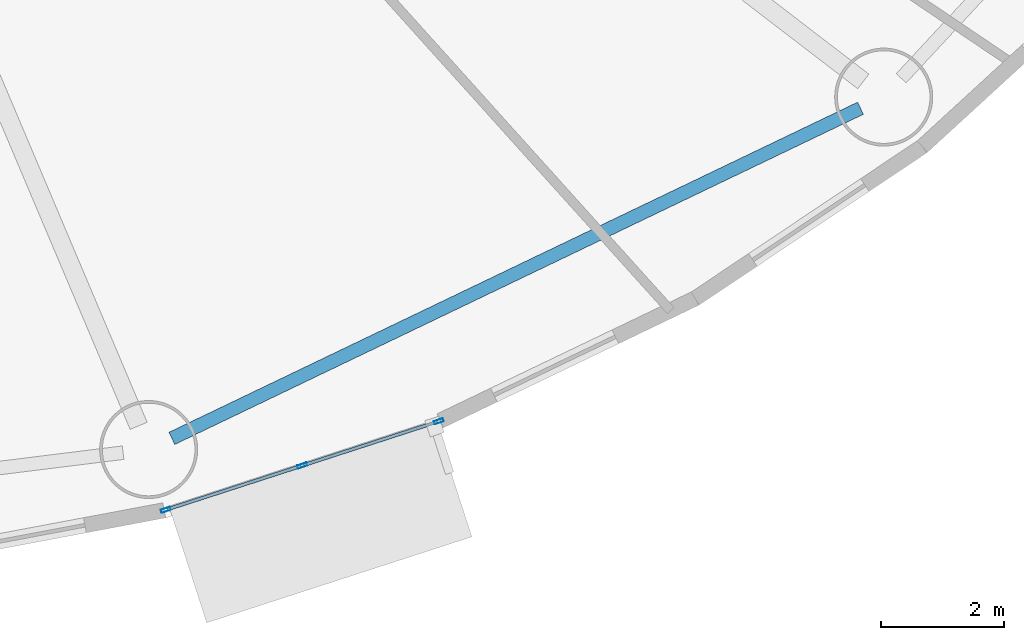
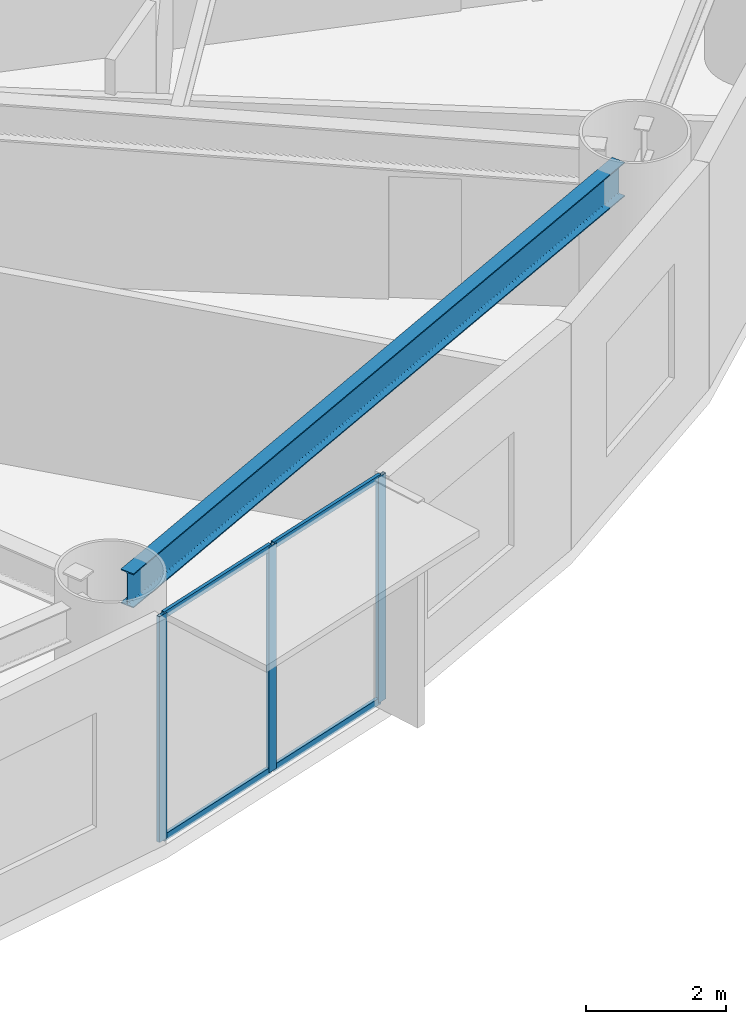
# One storey, part 7 of 32: 7 members, 1 beam, 1 element without a shape of its own.
"""IFC4 building model written with IfcOpenShell, lengths in metres."""

from ifc_helpers import new_model, si_unit, direction, frame, origin, origin_2d, place, context, subcontext, project, spatial, hollow_rectangle, i_section, extrude, source, transform, mapped, material, layer, layer_set, material_profile, profile_set, type_object, element, aggregate, save


model = new_model("IFC4")

# Units and contexts
model_context = context("Model", 3, precision=1e-05, world=origin(), true_north=direction((0.0, 1.0)))
body_context = subcontext(model_context, "Body", "Model", "MODEL_VIEW")
ifc_project = project(units=[si_unit("LENGTHUNIT", "METRE"), si_unit("AREAUNIT", "SQUARE_METRE"), si_unit("VOLUMEUNIT", "CUBIC_METRE"), si_unit("PLANEANGLEUNIT", "RADIAN"), si_unit("MASSUNIT", "GRAM", prefix="KILO")], contexts=[model_context])

# Site, building, storey
site_placement = place(None, origin())
site = spatial("IfcSite", under=ifc_project, at=site_placement, CompositionType="ELEMENT")
building_placement = place(site_placement, origin())
building = spatial("IfcBuilding", under=site, at=building_placement, Name="Linh Dai School and Residence Tower", CompositionType="ELEMENT")
storey_placement = place(building_placement, frame((0.0, 0.0, 40.800048828125)))
storey = spatial("IfcBuildingStorey", under=building, at=storey_placement, Name="L09", CompositionType="ELEMENT", Elevation=40.800048828125)

# Beam
ifc_material_1 = material(Name="Structural Steel S355JR", Category="steel")
ifc_material_profile_1 = material_profile(ifc_material_1, i_section(OverallWidth=0.219970703125, OverallDepth=0.60009765625, WebThickness=0.011962890625, FlangeThickness=0.01904296875, FilletRadius=0.02392578125, at=origin_2d()), Name="IPE 600")
ifc_profile_set_1 = profile_set([ifc_material_profile_1], Name="Structural Steel S355JR")
beam_type = type_object("IfcBeamType", Name="BM-RB60", PredefinedType="BEAM", material=ifc_profile_set_1)
beam_placement = place(storey_placement, frame((45.736572265625, 5.061767578125, 3.64990234375), z_axis=(0.901728693485, 0.432302398034, 0.0), x_axis=(-0.432302398034, 0.901728693485, 0.0)))
element("IfcBeam", 1, at=beam_placement, inside=storey, type_object=beam_type, Name="L09 Perimeter Elliptical Ring Beam 14", PredefinedType="BEAM", context=body_context, shape_type="SweptSolid", body=[
    extrude(i_section(OverallWidth=0.219970703125, OverallDepth=0.60009765625, WebThickness=0.011962890625, FlangeThickness=0.01904296875, FilletRadius=0.02392578125, at=origin_2d()), origin(), (0.0, 0.0, 1.0), 12.462158203125),
])

# Curtain wall, members
ifc_material_2 = material(Name="Aluminium Anodised Curtain Wall", Category="aluminium")
ifc_layer = layer(ifc_material_2, 0.159912109375)
ifc_layer_set = layer_set([ifc_layer], Name="Aluminium Anodised Curtain Wall")
curtain_wall_type = type_object("IfcCurtainWallType", Name="CW-SYS-3", PredefinedType="USERDEFINED", material=ifc_layer_set)
curtain_wall_placement = place(storey_placement, origin())
curtain_wall = element("IfcCurtainWall", 2, at=curtain_wall_placement, inside=storey, type_object=curtain_wall_type, Name="L09 CW3 Curtain Wall 33", ObjectType="RIBBON CURTAIN WALL", PredefinedType="USERDEFINED")
ifc_material_3 = material(Name="Aluminium Alloy 6063-T6", Category="aluminium")
ifc_material_profile_2 = material_profile(ifc_material_3, hollow_rectangle(XDim=0.054931640625, YDim=0.1201171875, WallThickness=0.00390625, at=origin_2d()), Name="RHS 120x55x4")
ifc_profile_set_2 = profile_set([ifc_material_profile_2], Name="Aluminium Alloy 6063-T6")
member_type_1 = type_object("IfcMemberType", Name="CW-SYS-3-TRN", PredefinedType="USERDEFINED", material=ifc_profile_set_2)
shared_shape_1 = source(origin(), body_context, "Body", "SweptSolid", [
    extrude(hollow_rectangle(XDim=0.054931640625, YDim=0.1201171875, WallThickness=0.00390625, at=origin_2d()), origin(), (0.0, 0.0, 1.0), 2.286865234375),
])
member_1_placement = place(storey_placement, frame((50.06591796875, 5.331787109375, 0.02734375), z_axis=(-0.951214351328, -0.308530805313, 0.0), x_axis=(0.308530805313, -0.951214351328, 0.0)))
member_1 = element("IfcMember", 3, at=member_1_placement, type_object=member_type_1, Name="CW3 transom 1.1", ObjectType="TRANSOM", PredefinedType="USERDEFINED", context=body_context, shape_type="MappedRepresentation", body=[
    mapped(shared_shape_1, transform((0.0, 0.0, 0.0), x_axis=(1.0, 0.0, 0.0), y_axis=(0.0, 1.0, 0.0), z_axis=(0.0, 0.0, 1.0), scale=1.0)),
])
member_2_placement = place(storey_placement, frame((50.06591796875, 5.331787109375, 3.92236328125), z_axis=(-0.951214351328, -0.308530805313, 0.0), x_axis=(0.308530805313, -0.951214351328, 0.0)))
member_2 = element("IfcMember", 4, at=member_2_placement, type_object=member_type_1, Name="CW3 transom 1.2", ObjectType="TRANSOM", PredefinedType="USERDEFINED", context=body_context, shape_type="MappedRepresentation", body=[
    mapped(shared_shape_1, transform((0.0, 0.0, 0.0), x_axis=(1.0, 0.0, 0.0), y_axis=(0.0, 1.0, 0.0), z_axis=(0.0, 0.0, 1.0), scale=1.0)),
])
member_3_placement = place(storey_placement, frame((47.838134765625, 4.609375, 0.02734375), z_axis=(-0.951214351328, -0.308530805313, 0.0), x_axis=(0.308530805313, -0.951214351328, 0.0)))
member_3 = element("IfcMember", 5, at=member_3_placement, type_object=member_type_1, Name="CW3 transom 2.1", ObjectType="TRANSOM", PredefinedType="USERDEFINED", context=body_context, shape_type="MappedRepresentation", body=[
    mapped(shared_shape_1, transform((0.0, 0.0, 0.0), x_axis=(1.0, 0.0, 0.0), y_axis=(0.0, 1.0, 0.0), z_axis=(0.0, 0.0, 1.0), scale=1.0)),
])
member_4_placement = place(storey_placement, frame((47.838134765625, 4.609375, 3.92236328125), z_axis=(-0.951214351328, -0.308530805313, 0.0), x_axis=(0.308530805313, -0.951214351328, 0.0)))
member_4 = element("IfcMember", 6, at=member_4_placement, type_object=member_type_1, Name="CW3 transom 2.2", ObjectType="TRANSOM", PredefinedType="USERDEFINED", context=body_context, shape_type="MappedRepresentation", body=[
    mapped(shared_shape_1, transform((0.0, 0.0, 0.0), x_axis=(1.0, 0.0, 0.0), y_axis=(0.0, 1.0, 0.0), z_axis=(0.0, 0.0, 1.0), scale=1.0)),
])
ifc_material_profile_3 = material_profile(ifc_material_3, hollow_rectangle(XDim=0.054931640625, YDim=0.159912109375, WallThickness=0.00390625, at=origin_2d()), Name="RHS 160x55x4")
ifc_profile_set_3 = profile_set([ifc_material_profile_3], Name="Aluminium Alloy 6063-T6")
member_type_2 = type_object("IfcMemberType", Name="CW-SYS-3-MUL", PredefinedType="MULLION", material=ifc_profile_set_3)
shared_shape_2 = source(origin(), body_context, "Body", "SweptSolid", [
    extrude(hollow_rectangle(XDim=0.054931640625, YDim=0.159912109375, WallThickness=0.00390625, at=origin_2d()), origin(), (0.0, 0.0, 1.0), 3.949951171875),
])
member_5_placement = place(storey_placement, frame((50.092041015625, 5.34033203125, 0.0), z_axis=(0.0, 0.0, 1.0), x_axis=(0.308510993844, -0.951220777043, 0.0)))
member_5 = element("IfcMember", 7, at=member_5_placement, type_object=member_type_2, Name="CW3 mullion 1", PredefinedType="MULLION", context=body_context, shape_type="MappedRepresentation", body=[
    mapped(shared_shape_2, transform((0.0, 0.0, 0.0), x_axis=(1.0, 0.0, 0.0), y_axis=(0.0, 1.0, 0.0), z_axis=(0.0, 0.0, 1.0), scale=1.0)),
])
member_6_placement = place(storey_placement, frame((47.8642578125, 4.617919921875, 0.0), z_axis=(0.0, 0.0, 1.0), x_axis=(0.308510993844, -0.951220777043, 0.0)))
member_6 = element("IfcMember", 8, at=member_6_placement, type_object=member_type_2, Name="CW3 mullion 2", PredefinedType="MULLION", context=body_context, shape_type="MappedRepresentation", body=[
    mapped(shared_shape_2, transform((0.0, 0.0, 0.0), x_axis=(1.0, 0.0, 0.0), y_axis=(0.0, 1.0, 0.0), z_axis=(0.0, 0.0, 1.0), scale=1.0)),
])
member_7_placement = place(storey_placement, frame((45.63671875, 3.895263671875, 0.0), z_axis=(0.0, 0.0, 1.0), x_axis=(0.308510993844, -0.951220777043, 0.0)))
member_7 = element("IfcMember", 9, at=member_7_placement, type_object=member_type_2, Name="CW3 mullion 3", PredefinedType="MULLION", context=body_context, shape_type="MappedRepresentation", body=[
    mapped(shared_shape_2, transform((0.0, 0.0, 0.0), x_axis=(1.0, 0.0, 0.0), y_axis=(0.0, 1.0, 0.0), z_axis=(0.0, 0.0, 1.0), scale=1.0)),
])
aggregate(curtain_wall, [member_5, member_6, member_7, member_1, member_2, member_3, member_4])

save(model, "model.ifc")
